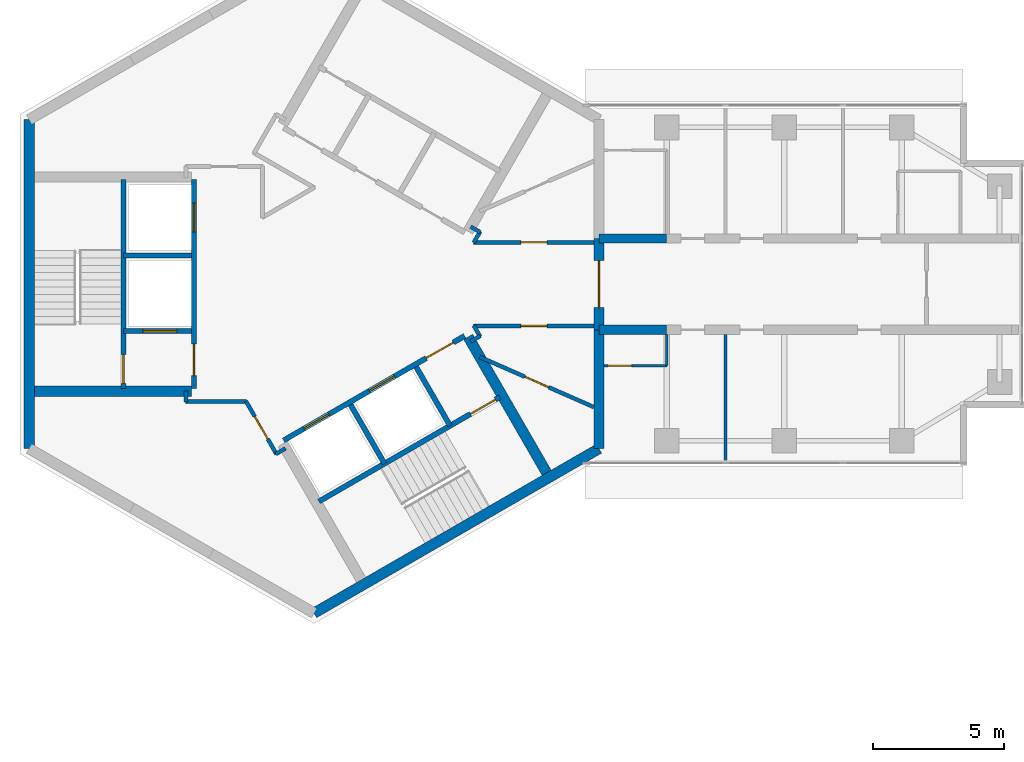
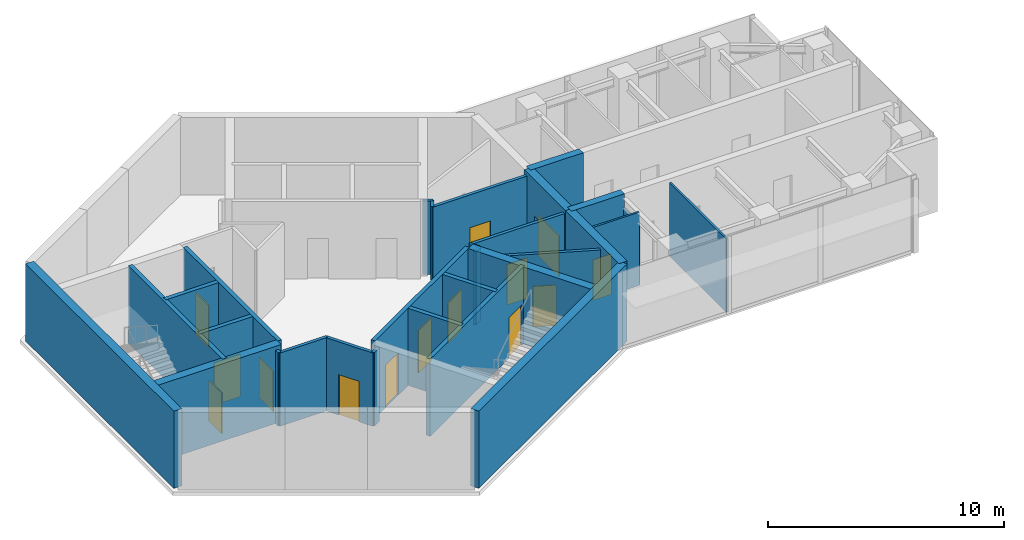
# One storey, part 5 of 11: 30 walls, 14 doors, 14 openings.
"""IFC4 building model written with IfcOpenShell, lengths in metres."""

import ifcopenshell
import ifcopenshell.guid

model = None  # the IFC model being written
_history = None  # IfcOwnerHistory: only IFC2X3 demands one
_inside = {}  # id of a spatial element -> (the spatial element, [elements in it])
_under = {}  # id of a project, library or spatial element -> (it, [spatial elements below it])
_declared = {}  # id of a project -> (the project, [libraries it declares])
_typed = {}  # id of a type object -> (the type object, [elements of that type])
_made_of = {}  # id of a material, layer set ... -> (it, [elements and type objects made of it])


def new_model(schema):
    """Start an empty IFC model of exactly this schema.

    Asked for "IFC4X3", IfcOpenShell would pick the latest addendum, in which some entities
    have other attributes; the version numbers below select the first issue.
    IFC2X3 requires an IfcOwnerHistory on every rooted entity: one is made here for all.
    """
    global model, _history
    if schema == "IFC4X3":
        model = ifcopenshell.file(schema_version=(4, 3, 0, 0))
    else:
        model = ifcopenshell.file(schema=schema)
    _inside.clear()
    _under.clear()
    _declared.clear()
    _typed.clear()
    _made_of.clear()
    _history = None
    if model.schema == "IFC2X3":
        org = make("IfcOrganization", Name="unknown")
        user = make(
            "IfcPersonAndOrganization",
            ThePerson=make("IfcPerson", FamilyName="unknown"),
            TheOrganization=org,
        )
        app = make(
            "IfcApplication",
            ApplicationDeveloper=org,
            Version="unknown",
            ApplicationFullName="unknown",
            ApplicationIdentifier="unknown",
        )
        _history = make(
            "IfcOwnerHistory",
            OwningUser=user,
            OwningApplication=app,
            ChangeAction="ADDED",
            CreationDate=0,
        )
    return model


def make(cls, **values):
    """One entity of the class cls with the attributes given. An attribute that is None is left unset."""
    return model.create_entity(
        cls, **{name: value for name, value in values.items() if value is not None}
    )


def rooted(cls, **values):
    """An entity with a GlobalId (a new one), such as an element, a storey or a relation."""
    return make(cls, GlobalId=ifcopenshell.guid.new(), OwnerHistory=_history, **values)


def si_unit(unit_type, name, prefix=None):
    """IfcSIUnit, for example si_unit("LENGTHUNIT", "METRE", prefix="MILLI")."""
    return make("IfcSIUnit", UnitType=unit_type, Prefix=prefix, Name=name)


def assignment(units):
    """IfcUnitAssignment: the units of a project."""
    return None if units is None else make("IfcUnitAssignment", Units=units)


def point(xyz):
    """IfcCartesianPoint."""
    return None if xyz is None else make("IfcCartesianPoint", Coordinates=xyz)


def direction(xyz):
    """IfcDirection."""
    return None if xyz is None else make("IfcDirection", DirectionRatios=xyz)


def frame(location, z_axis=None, x_axis=None):
    """IfcAxis2Placement3D, a coordinate frame: its origin and axes. An axis left out is left unset."""
    return make(
        "IfcAxis2Placement3D",
        Location=point(location),
        Axis=direction(z_axis),
        RefDirection=direction(x_axis),
    )


def frame_2d(location, x_axis=None):
    """IfcAxis2Placement2D, a coordinate frame in the plane: its origin and x axis."""
    return make(
        "IfcAxis2Placement2D", Location=point(location), RefDirection=direction(x_axis)
    )


def origin():
    """The frame at (0, 0, 0) with its axes left unset."""
    return frame((0.0, 0.0, 0.0))


def place(relative_to, where):
    """IfcLocalPlacement: puts the frame where relative to a parent placement (None: the world)."""
    return make(
        "IfcLocalPlacement", PlacementRelTo=relative_to, RelativePlacement=where
    )


def context(
    kind, dimensions, precision=None, world=None, true_north=None, identifier=None
):
    """IfcGeometricRepresentationContext, for example the 3D "Model" context."""
    return make(
        "IfcGeometricRepresentationContext",
        ContextIdentifier=identifier,
        ContextType=kind,
        CoordinateSpaceDimension=dimensions,
        Precision=precision,
        WorldCoordinateSystem=world,
        TrueNorth=true_north,
    )


def subcontext(parent, identifier, kind, view, scale=None):
    """IfcGeometricRepresentationSubContext, for example "Body" below "Model"."""
    return make(
        "IfcGeometricRepresentationSubContext",
        ContextIdentifier=identifier,
        ContextType=kind,
        ParentContext=parent,
        TargetScale=scale,
        TargetView=view,
    )


def project(units=None, contexts=None):
    """IfcProject with its units and contexts."""
    return rooted(
        "IfcProject",
        Name="project",
        RepresentationContexts=contexts,
        UnitsInContext=assignment(units),
    )


def spatial(cls, under=None, at=None, **own):
    """A site, building, storey or space (cls), placed at a placement, below another one or the project."""
    s = rooted(cls, ObjectPlacement=at, **own)
    if under is not None:
        _under.setdefault(under.id(), (under, []))[1].append(s)
    return s


def profile(cls, at=None, kind="AREA", **sizes):
    """A parametric profile (cls). Its sizes go by their IFC names, for example OverallWidth=200.0."""
    return make(cls, ProfileType=kind, Position=at, **sizes)


def rectangle(**sizes):
    """IfcRectangleProfileDef."""
    return profile("IfcRectangleProfileDef", **sizes)


def extrude(swept, where, along, depth):
    """IfcExtrudedAreaSolid: the profile swept, set in the frame where, extruded along a direction by depth."""
    return make(
        "IfcExtrudedAreaSolid",
        SweptArea=swept,
        Position=where,
        ExtrudedDirection=direction(along),
        Depth=depth,
    )


def shape(context_of_items, identifier, shape_type, items):
    """IfcShapeRepresentation: the items that make up one representation, for example the "Body"."""
    return make(
        "IfcShapeRepresentation",
        ContextOfItems=context_of_items,
        RepresentationIdentifier=identifier,
        RepresentationType=shape_type,
        Items=items,
    )


def material(Name=None, Category=None):
    """IfcMaterial."""
    return make("IfcMaterial", Name=Name, Category=Category)


def layer(
    of_material, thickness, ventilated=None, Name=None, Category=None, Priority=None
):
    """IfcMaterialLayer: one layer of a wall or slab, of a material (None: an air gap)."""
    return make(
        "IfcMaterialLayer",
        Material=of_material,
        LayerThickness=thickness,
        IsVentilated=ventilated,
        Name=Name,
        Category=Category,
        Priority=Priority,
    )


def layer_set(layers, Name=None):
    """IfcMaterialLayerSet."""
    return make("IfcMaterialLayerSet", MaterialLayers=layers, LayerSetName=Name)


def made_of(thing, what):
    """Note that an element or type object is made of a material, layer set ...; save() writes the relation."""
    if what is not None:
        _made_of.setdefault(what.id(), (what, []))[1].append(thing)
    return thing


def type_object(cls, material=None, **own):
    """A type object (cls), such as IfcWallType, which elements share."""
    return made_of(rooted(cls, **own), material)


def element(
    cls,
    number,
    at=None,
    inside=None,
    cuts=None,
    type_object=None,
    material=None,
    context=None,
    identifier="Body",
    shape_type=None,
    held_by="IfcProductDefinitionShape",
    body=None,
    shapes=None,
    **own,
):
    """One element of the class cls, such as IfcWall. Its Tag is "e" and its number.

    at: its placement. inside: the storey or other place that contains it. cuts: it is an
    opening in that element (IfcRelVoidsElement). A single representation is given by context,
    identifier, shape_type and body (its items); several are given by shapes. held_by: the class
    of the entity that holds the representations. save() writes the other relations.
    """
    e = rooted(cls, Tag="e%d" % number, ObjectPlacement=at, **own)
    if body is not None:
        shapes = [shape(context, identifier, shape_type, body)]
    if shapes is not None:
        e.Representation = make(held_by, Representations=shapes)
    if inside is not None:
        _inside.setdefault(inside.id(), (inside, []))[1].append(e)
    if cuts is not None:
        rooted(
            "IfcRelVoidsElement", RelatingBuildingElement=cuts, RelatedOpeningElement=e
        )
    if type_object is not None:
        _typed.setdefault(type_object.id(), (type_object, []))[1].append(e)
    return made_of(e, material)


def fill(opening, filler):
    """IfcRelFillsElement: the door or window that sits in an opening."""
    return rooted(
        "IfcRelFillsElement",
        RelatingOpeningElement=opening,
        RelatedBuildingElement=filler,
    )


def aggregate(whole, parts):
    """IfcRelAggregates: a whole, such as a stair, and the parts it consists of."""
    return rooted("IfcRelAggregates", RelatingObject=whole, RelatedObjects=parts)


def save(model, path):
    """Write the relations noted so far, then the file.

    IfcRelAggregates (storeys below a building ...), IfcRelContainedInSpatialStructure (elements
    in a storey), IfcRelDefinesByType, IfcRelAssociatesMaterial and IfcRelDeclares: one each for
    every whole, place, type object, material and project.
    """
    for whole, parts in _under.values():
        aggregate(whole, parts)
    for where, things in _inside.values():
        rooted(
            "IfcRelContainedInSpatialStructure",
            RelatedElements=things,
            RelatingStructure=where,
        )
    for kind, things in _typed.values():
        rooted("IfcRelDefinesByType", RelatedObjects=things, RelatingType=kind)
    for what, things in _made_of.values():
        rooted("IfcRelAssociatesMaterial", RelatedObjects=things, RelatingMaterial=what)
    for by, libraries in _declared.values():
        rooted("IfcRelDeclares", RelatingContext=by, RelatedDefinitions=libraries)
    model.write(path)


model = new_model("IFC4")

# Units and contexts
model_context = context("Model", 3, precision=1e-05, world=origin(), true_north=direction((0.0, 1.0)))
body_context = subcontext(model_context, "Body", "Model", "MODEL_VIEW")
ifc_project = project(units=[si_unit("LENGTHUNIT", "METRE"), si_unit("AREAUNIT", "SQUARE_METRE"), si_unit("VOLUMEUNIT", "CUBIC_METRE"), si_unit("PLANEANGLEUNIT", "RADIAN"), si_unit("MASSUNIT", "GRAM", prefix="KILO")], contexts=[model_context])

# Site, building, storey
site_placement = place(None, origin())
site = spatial("IfcSite", under=ifc_project, at=site_placement, CompositionType="ELEMENT")
building_placement = place(site_placement, origin())
building = spatial("IfcBuilding", under=site, at=building_placement, Name="Upepo Twin Towers", CompositionType="ELEMENT")
storey_placement = place(building_placement, frame((0.0, 0.0, 271.5)))
storey = spatial("IfcBuildingStorey", under=building, at=storey_placement, Name="L66", CompositionType="ELEMENT", Elevation=271.5)

# Walls
ifc_material_1 = material(Name="Concrete C60/75", Category="concrete")
ifc_layer_1 = layer(ifc_material_1, 0.35009765625)
ifc_layer_set_1 = layer_set([ifc_layer_1], Name="Concrete C60/75")
wall_type_1 = type_object("IfcWallType", Name="Buttress wall 350 RC", PredefinedType="SHEAR", material=ifc_layer_set_1)
for number, where, z_axis, x_axis, name in (
    (1, (10.908447265625, 1.75, 0.0), (0.0, 0.0, 1.0), (1.0, 0.0, 0.0), "T1 wing A buttress wall L"),
    (2, (10.908447265625, -1.75, 0.0), (0.0, 0.0, 1.0), (1.0, 0.0, 0.0), "T1 wing A buttress wall R"),
):
    element("IfcWall", number, at=place(storey_placement, frame(where, z_axis=z_axis, x_axis=x_axis)), inside=storey, type_object=wall_type_1, Name=name, PredefinedType="SHEAR", context=body_context, shape_type="SweptSolid", body=[
        extrude(rectangle(XDim=2.591552734375, YDim=0.35009765625, at=frame_2d((1.2958984375, 0.0))), origin(), (0.0, 0.0, 1.0), 4.0),
    ])
ifc_material_2 = material(Name="Concrete C60/75", Category="concrete")
ifc_layer_2 = layer(ifc_material_2, 0.39990234375)
ifc_layer_set_2 = layer_set([ifc_layer_2], Name="Concrete C60/75")
wall_type_2 = type_object("IfcWallType", Name="Core wall 400 RC", PredefinedType="SHEAR", material=ifc_layer_set_2)
wall_1_placement = place(storey_placement, frame((10.908447265625, -6.2978515625, 0.0), z_axis=(0.0, 0.0, 1.0), x_axis=(0.0, 1.0, 0.0)))
element("IfcWall", 3, at=wall_1_placement, inside=storey, type_object=wall_type_2, Name="T1 core wall 000 R", PredefinedType="SHEAR", context=body_context, shape_type="SweptSolid", body=[
    extrude(rectangle(XDim=4.5478515625, YDim=0.39990234375, at=frame_2d((2.27392578125, 0.0))), origin(), (0.0, 0.0, 1.0), 4.0),
])

# Wall, opening, door
wall_2_placement = place(storey_placement, frame((10.908447265625, -1.75, 0.0), z_axis=(0.0, 0.0, 1.0), x_axis=(0.0, 1.0, 0.0)))
wall_2 = element("IfcWall", 4, at=wall_2_placement, inside=storey, type_object=wall_type_2, Name="T1 core wall 000", PredefinedType="SHEAR", context=body_context, shape_type="SweptSolid", body=[
    extrude(rectangle(XDim=3.5, YDim=0.39990234375, at=frame_2d((1.75, 0.0))), origin(), (0.0, 0.0, 1.0), 4.0),
])
opening_1_placement = place(wall_2_placement, frame((0.85009765625, 0.0, 0.0)))
opening_1 = element("IfcOpeningElement", 5, at=opening_1_placement, cuts=wall_2, Name="Opening D2", PredefinedType="OPENING", context=body_context, shape_type="SweptSolid", body=[
    extrude(rectangle(XDim=1.800048828125, YDim=2.10009765625, at=frame_2d((0.89990234375, 1.050048828125))), frame((0.0, 0.2099609375, 0.0), z_axis=(0.0, -1.0, 0.0), x_axis=(1.0, 0.0, 0.0)), (0.0, 0.0, 1.0), 0.419921875),
])
ifc_material_3 = material(Name="Timber doorset", Category="wood")
door_type_1 = type_object("IfcDoorType", Name="Corridor double door 1800 FD60", OperationType="DOUBLE_DOOR_DOUBLE_SWING", PredefinedType="DOOR", material=ifc_material_3)
door_1_placement = place(opening_1_placement, origin())
door_1 = element("IfcDoor", 6, at=door_1_placement, inside=storey, type_object=door_type_1, Name="T1 L66 wing A corridor door", OperationType="DOUBLE_DOOR_DOUBLE_SWING", OverallHeight=2.10009765625, OverallWidth=1.800048828125, PredefinedType="DOOR", context=body_context, shape_type="SweptSolid", body=[
    extrude(rectangle(XDim=1.800048828125, YDim=2.10009765625, at=frame_2d((0.89990234375, 1.050048828125))), frame((0.0, 0.02490234375, 0.0), z_axis=(0.0, -1.0, 0.0), x_axis=(1.0, 0.0, 0.0)), (0.0, 0.0, 1.0), 0.050048828125),
])
fill(opening_1, door_1)

# Walls
wall_3_placement = place(storey_placement, frame((-10.908447265625, 6.2978515625, 0.0), z_axis=(0.0, 0.0, 1.0), x_axis=(0.0, -1.0, 0.0)))
element("IfcWall", 7, at=wall_3_placement, inside=storey, type_object=wall_type_2, Name="T1 core wall 180", PredefinedType="SHEAR", context=body_context, shape_type="SweptSolid", body=[
    extrude(rectangle(XDim=12.595703125, YDim=0.39990234375, at=frame_2d((6.2978515625, 0.0))), origin(), (0.0, 0.0, 1.0), 4.0),
])
wall_4_placement = place(storey_placement, frame((0.0, -12.595947265625, 0.0), z_axis=(0.0, 0.0, 1.0), x_axis=(0.866021940709, 0.500005998175, 0.0)))
element("IfcWall", 8, at=wall_4_placement, inside=storey, type_object=wall_type_2, Name="T1 core wall 300", PredefinedType="SHEAR", context=body_context, shape_type="SweptSolid", body=[
    extrude(rectangle(XDim=12.595947265625, YDim=0.39990234375, at=frame_2d((6.2978515625, 0.0))), origin(), (0.0, 0.0, 1.0), 4.0),
])
ifc_material_4 = material(Name="Gypsum board on steel studs", Category="steel")
ifc_layer_3 = layer(ifc_material_4, 0.10009765625)
ifc_layer_set_3 = layer_set([ifc_layer_3], Name="Office partition 100 stud")
wall_type_3 = type_object("IfcWallType", Name="Office partition 100 stud", PredefinedType="PARTITIONING", material=ifc_layer_set_3)
wall_5_placement = place(storey_placement, frame((15.75, -1.925048828125, 0.0), z_axis=(0.0, 0.0, 1.0), x_axis=(0.0, -1.0, 0.0)))
element("IfcWall", 9, at=wall_5_placement, inside=storey, type_object=wall_type_3, Name="T1 partition AR at 15.75", PredefinedType="PARTITIONING", context=body_context, shape_type="SweptSolid", body=[
    extrude(rectangle(XDim=4.824951171875, YDim=0.10009765625, at=frame_2d((2.41259765625, 0.0))), origin(), (0.0, 0.0, 1.0), 3.800048828125),
])

# Wall, opening, door
wall_6_placement = place(storey_placement, frame((11.10791015625, -3.125, 0.0), z_axis=(0.0, 0.0, 1.0), x_axis=(1.0, 0.0, 0.0)))
wall_6 = element("IfcWall", 10, at=wall_6_placement, inside=storey, type_object=wall_type_3, Name="T1 WC bay partition AR at 11.11", PredefinedType="PARTITIONING", context=body_context, shape_type="SweptSolid", body=[
    extrude(rectangle(XDim=2.400146484375, YDim=0.10009765625, at=frame_2d((1.2001953125, 0.0))), origin(), (0.0, 0.0, 1.0), 3.800048828125),
])
opening_2_placement = place(wall_6_placement, frame((0.14990234375, 0.0, 0.0)))
opening_2 = element("IfcOpeningElement", 11, at=opening_2_placement, cuts=wall_6, Name="Opening D14", PredefinedType="OPENING", context=body_context, shape_type="SweptSolid", body=[
    extrude(rectangle(XDim=0.89990234375, YDim=2.10009765625, at=frame_2d((0.449951171875, 1.050048828125))), frame((0.0, 0.06005859375, 0.0), z_axis=(0.0, -1.0, 0.0), x_axis=(1.0, 0.0, 0.0)), (0.0, 0.0, 1.0), 0.1201171875),
])
ifc_material_5 = material(Name="Timber doorset", Category="wood")
door_type_2 = type_object("IfcDoorType", Name="Office door 900 FD30", OperationType="SINGLE_SWING_LEFT", PredefinedType="DOOR", material=ifc_material_5)
door_2_placement = place(opening_2_placement, origin())
door_2 = element("IfcDoor", 12, at=door_2_placement, inside=storey, type_object=door_type_2, Name="T1 L66 WC bay inner room door", OperationType="SINGLE_SWING_LEFT", OverallHeight=2.10009765625, OverallWidth=0.89990234375, PredefinedType="DOOR", context=body_context, shape_type="SweptSolid", body=[
    extrude(rectangle(XDim=0.89990234375, YDim=2.10009765625, at=frame_2d((0.449951171875, 1.050048828125))), frame((0.0, 0.02490234375, 0.0), z_axis=(0.0, -1.0, 0.0), x_axis=(1.0, 0.0, 0.0)), (0.0, 0.0, 1.0), 0.050048828125),
])
fill(opening_2, door_2)

# Wall
wall_7_placement = place(storey_placement, frame((13.508056640625, -1.925048828125, 0.0), z_axis=(0.0, 0.0, 1.0), x_axis=(0.0, -1.0, 0.0)))
element("IfcWall", 13, at=wall_7_placement, inside=storey, type_object=wall_type_3, Name="T1 WC bay partition AR end at 13.51", PredefinedType="PARTITIONING", context=body_context, shape_type="SweptSolid", body=[
    extrude(rectangle(XDim=1.199951171875, YDim=0.10009765625, at=frame_2d((0.60009765625, 0.0))), origin(), (0.0, 0.0, 1.0), 3.266845703125),
])

# Wall, openings, doors
ifc_material_6 = material(Name="Concrete C40/50", Category="concrete")
ifc_layer_4 = layer(ifc_material_6, 0.199951171875)
ifc_layer_set_4 = layer_set([ifc_layer_4], Name="Concrete C40/50")
wall_type_4 = type_object("IfcWallType", Name="Shaft wall 200 RC", PredefinedType="SHEAR", material=ifc_layer_set_4)
wall_8_placement = place(storey_placement, frame((-4.60009765625, 4.0, 0.0), z_axis=(0.0, 0.0, 1.0), x_axis=(0.0, -1.0, 0.0)))
wall_8 = element("IfcWall", 14, at=wall_8_placement, inside=storey, type_object=wall_type_4, Name="T1 core W180 front wall", PredefinedType="SHEAR", context=body_context, shape_type="SweptSolid", body=[
    extrude(rectangle(XDim=8.0, YDim=0.199951171875, at=frame_2d((4.0, 0.0))), origin(), (0.0, 0.0, 1.0), 4.0),
])
opening_3_placement = place(wall_8_placement, frame((6.300048828125, 0.0, 0.0)))
opening_3 = element("IfcOpeningElement", 15, at=opening_3_placement, cuts=wall_8, Name="Opening D4", PredefinedType="OPENING", context=body_context, shape_type="SweptSolid", body=[
    extrude(rectangle(XDim=1.199951171875, YDim=2.10009765625, at=frame_2d((0.60009765625, 1.050048828125))), frame((0.0, 0.10986328125, 0.0), z_axis=(0.0, -1.0, 0.0), x_axis=(1.0, 0.0, 0.0)), (0.0, 0.0, 1.0), 0.219970703125),
])
opening_4_placement = place(wall_8_placement, frame((0.89990234375, 0.0, 0.0)))
opening_4 = element("IfcOpeningElement", 16, at=opening_4_placement, cuts=wall_8, Name="Opening LD1", PredefinedType="OPENING", context=body_context, shape_type="SweptSolid", body=[
    extrude(rectangle(XDim=1.10009765625, YDim=2.199951171875, at=frame_2d((0.550048828125, 1.10009765625))), frame((0.0, 0.10986328125, 0.0), z_axis=(0.0, -1.0, 0.0), x_axis=(1.0, 0.0, 0.0)), (0.0, 0.0, 1.0), 0.219970703125),
])
ifc_material_7 = material(Name="Steel doorset", Category="steel")
door_type_3 = type_object("IfcDoorType", Name="Lift landing door 1100", OperationType="DOUBLE_DOOR_SLIDING", PredefinedType="DOOR", material=ifc_material_7)
door_3_placement = place(opening_4_placement, origin())
door_3 = element("IfcDoor", 17, at=door_3_placement, inside=storey, type_object=door_type_3, Name="T1 L66 lift SV1 landing door", OperationType="DOUBLE_DOOR_SLIDING", OverallHeight=2.199951171875, OverallWidth=1.10009765625, PredefinedType="DOOR", context=body_context, shape_type="SweptSolid", body=[
    extrude(rectangle(XDim=1.10009765625, YDim=2.199951171875, at=frame_2d((0.550048828125, 1.10009765625))), frame((0.0, 0.02490234375, 0.0), z_axis=(0.0, -1.0, 0.0), x_axis=(1.0, 0.0, 0.0)), (0.0, 0.0, 1.0), 0.050048828125),
])
fill(opening_4, door_3)
ifc_material_8 = material(Name="Timber doorset", Category="wood")
door_type_4 = type_object("IfcDoorType", Name="Lobby door 1200 FD60", OperationType="SINGLE_SWING_LEFT", PredefinedType="DOOR", material=ifc_material_8)
door_4_placement = place(opening_3_placement, origin())
door_4 = element("IfcDoor", 18, at=door_4_placement, inside=storey, type_object=door_type_4, Name="T1 L66 W180 lobby door", OperationType="SINGLE_SWING_RIGHT", OverallHeight=2.10009765625, OverallWidth=1.199951171875, PredefinedType="DOOR", context=body_context, shape_type="SweptSolid", body=[
    extrude(rectangle(XDim=1.199951171875, YDim=2.10009765625, at=frame_2d((0.60009765625, 1.050048828125))), frame((0.0, 0.02490234375, 0.0), z_axis=(0.0, -1.0, 0.0), x_axis=(1.0, 0.0, 0.0)), (0.0, 0.0, 1.0), 0.050048828125),
])
fill(opening_3, door_4)

# Wall
wall_9_placement = place(storey_placement, frame((-4.699951171875, 1.10009765625, 0.0), z_axis=(0.0, 0.0, 1.0), x_axis=(-1.0, 0.0, 0.0)))
element("IfcWall", 19, at=wall_9_placement, inside=storey, type_object=wall_type_4, Name="T1 core W180 shaft divider", PredefinedType="SHEAR", context=body_context, shape_type="SweptSolid", body=[
    extrude(rectangle(XDim=2.60009765625, YDim=0.199951171875, at=frame_2d((1.300048828125, 0.0))), origin(), (0.0, 0.0, 1.0), 4.0),
])

# Wall, opening, door
wall_10_placement = place(storey_placement, frame((-4.699951171875, -1.800048828125, 0.0), z_axis=(0.0, 0.0, 1.0), x_axis=(-1.0, 0.0, 0.0)))
wall_10 = element("IfcWall", 20, at=wall_10_placement, inside=storey, type_object=wall_type_4, Name="T1 core W180 lobby wall", PredefinedType="SHEAR", context=body_context, shape_type="SweptSolid", body=[
    extrude(rectangle(XDim=2.60009765625, YDim=0.199951171875, at=frame_2d((1.300048828125, 0.0))), origin(), (0.0, 0.0, 1.0), 4.0),
])
opening_5_placement = place(wall_10_placement, frame((0.550048828125, 0.0, 0.0)))
opening_5 = element("IfcOpeningElement", 21, at=opening_5_placement, cuts=wall_10, Name="Opening LD2", PredefinedType="OPENING", context=body_context, shape_type="SweptSolid", body=[
    extrude(rectangle(XDim=1.300048828125, YDim=2.199951171875, at=frame_2d((0.64990234375, 1.10009765625))), frame((0.0, 0.10986328125, 0.0), z_axis=(0.0, -1.0, 0.0), x_axis=(1.0, 0.0, 0.0)), (0.0, 0.0, 1.0), 0.219970703125),
])
ifc_material_9 = material(Name="Steel doorset", Category="steel")
door_type_5 = type_object("IfcDoorType", Name="Firefighting lift landing door 1300", OperationType="DOUBLE_DOOR_SLIDING", PredefinedType="DOOR", material=ifc_material_9)
door_5_placement = place(opening_5_placement, origin())
door_5 = element("IfcDoor", 22, at=door_5_placement, inside=storey, type_object=door_type_5, Name="T1 L66 firefighting lift landing door", OperationType="DOUBLE_DOOR_SLIDING", OverallHeight=2.199951171875, OverallWidth=1.300048828125, PredefinedType="DOOR", context=body_context, shape_type="SweptSolid", body=[
    extrude(rectangle(XDim=1.300048828125, YDim=2.199951171875, at=frame_2d((0.64990234375, 1.10009765625))), frame((0.0, 0.02490234375, 0.0), z_axis=(0.0, -1.0, 0.0), x_axis=(1.0, 0.0, 0.0)), (0.0, 0.0, 1.0), 0.050048828125),
])
fill(opening_5, door_5)

wall_11_placement = place(storey_placement, frame((-7.300048828125, 4.0, 0.0), z_axis=(0.0, 0.0, 1.0), x_axis=(0.0, -1.0, 0.0)))
wall_11 = element("IfcWall", 23, at=wall_11_placement, inside=storey, type_object=wall_type_4, Name="T1 core W180 stair wall", PredefinedType="SHEAR", context=body_context, shape_type="SweptSolid", body=[
    extrude(rectangle(XDim=8.0, YDim=0.199951171875, at=frame_2d((4.0, 0.0))), origin(), (0.0, 0.0, 1.0), 4.0),
])
opening_6_placement = place(wall_11_placement, frame((6.699951171875, 0.0, 0.0)))
opening_6 = element("IfcOpeningElement", 24, at=opening_6_placement, cuts=wall_11, Name="Opening D3", PredefinedType="OPENING", context=body_context, shape_type="SweptSolid", body=[
    extrude(rectangle(XDim=1.10009765625, YDim=2.10009765625, at=frame_2d((0.550048828125, 1.050048828125))), frame((0.0, 0.10986328125, 0.0), z_axis=(0.0, -1.0, 0.0), x_axis=(1.0, 0.0, 0.0)), (0.0, 0.0, 1.0), 0.219970703125),
])
ifc_material_10 = material(Name="Timber doorset", Category="wood")
door_type_6 = type_object("IfcDoorType", Name="Stair door 1100 FD60", OperationType="SINGLE_SWING_LEFT", PredefinedType="DOOR", material=ifc_material_10)
door_6_placement = place(opening_6_placement, origin())
door_6 = element("IfcDoor", 25, at=door_6_placement, inside=storey, type_object=door_type_6, Name="T1 L66 stair door", OperationType="SINGLE_SWING_RIGHT", OverallHeight=2.10009765625, OverallWidth=1.10009765625, PredefinedType="DOOR", context=body_context, shape_type="SweptSolid", body=[
    extrude(rectangle(XDim=1.10009765625, YDim=2.10009765625, at=frame_2d((0.550048828125, 1.050048828125))), frame((0.0, 0.02490234375, 0.0), z_axis=(0.0, -1.0, 0.0), x_axis=(1.0, 0.0, 0.0)), (0.0, 0.0, 1.0), 0.050048828125),
])
fill(opening_6, door_6)

# Wall, openings, doors
wall_12_placement = place(storey_placement, frame((-1.1640625, -5.983642578125, 0.0), z_axis=(0.0, 0.0, 1.0), x_axis=(0.866026010844, 0.49999894854, 0.0)))
wall_12 = element("IfcWall", 26, at=wall_12_placement, inside=storey, type_object=wall_type_4, Name="T1 core W300 front wall", PredefinedType="SHEAR", context=body_context, shape_type="SweptSolid", body=[
    extrude(rectangle(XDim=8.0, YDim=0.199951171875, at=frame_2d((4.0, 0.0))), origin(), (0.0, 0.0, 1.0), 4.0),
])
opening_7_placement = place(wall_12_placement, frame((6.300048828125, 0.0, 0.0)))
opening_7 = element("IfcOpeningElement", 27, at=opening_7_placement, cuts=wall_12, Name="Opening D4", PredefinedType="OPENING", context=body_context, shape_type="SweptSolid", body=[
    extrude(rectangle(XDim=1.199951171875, YDim=2.10009765625, at=frame_2d((0.60009765625, 1.050048828125))), frame((0.0, 0.10986328125, 0.0), z_axis=(0.0, -1.0, 0.0), x_axis=(1.0, 0.0, 0.0)), (0.0, 0.0, 1.0), 0.219970703125),
])
opening_8_placement = place(wall_12_placement, frame((0.89990234375, 0.0, 0.0)))
opening_8 = element("IfcOpeningElement", 28, at=opening_8_placement, cuts=wall_12, Name="Opening LD1", PredefinedType="OPENING", context=body_context, shape_type="SweptSolid", body=[
    extrude(rectangle(XDim=1.10009765625, YDim=2.199951171875, at=frame_2d((0.550048828125, 1.10009765625))), frame((0.0, 0.10986328125, 0.0), z_axis=(0.0, -1.0, 0.0), x_axis=(1.0, 0.0, 0.0)), (0.0, 0.0, 1.0), 0.219970703125),
])
opening_9_placement = place(wall_12_placement, frame((3.800048828125, 0.0, 0.0)))
opening_9 = element("IfcOpeningElement", 29, at=opening_9_placement, cuts=wall_12, Name="Opening LD1", PredefinedType="OPENING", context=body_context, shape_type="SweptSolid", body=[
    extrude(rectangle(XDim=1.10009765625, YDim=2.199951171875, at=frame_2d((0.550048828125, 1.10009765625))), frame((0.0, 0.10986328125, 0.0), z_axis=(0.0, -1.0, 0.0), x_axis=(1.0, 0.0, 0.0)), (0.0, 0.0, 1.0), 0.219970703125),
])
door_7_placement = place(opening_8_placement, origin())
door_7 = element("IfcDoor", 30, at=door_7_placement, inside=storey, type_object=door_type_3, Name="T1 L66 lift TL1 landing door", OperationType="DOUBLE_DOOR_SLIDING", OverallHeight=2.199951171875, OverallWidth=1.10009765625, PredefinedType="DOOR", context=body_context, shape_type="SweptSolid", body=[
    extrude(rectangle(XDim=1.10009765625, YDim=2.199951171875, at=frame_2d((0.550048828125, 1.10009765625))), frame((0.0, 0.02490234375, 0.0), z_axis=(0.0, -1.0, 0.0), x_axis=(1.0, 0.0, 0.0)), (0.0, 0.0, 1.0), 0.050048828125),
])
fill(opening_8, door_7)
door_8_placement = place(opening_9_placement, origin())
door_8 = element("IfcDoor", 31, at=door_8_placement, inside=storey, type_object=door_type_3, Name="T1 L66 lift TL2 landing door", OperationType="DOUBLE_DOOR_SLIDING", OverallHeight=2.199951171875, OverallWidth=1.10009765625, PredefinedType="DOOR", context=body_context, shape_type="SweptSolid", body=[
    extrude(rectangle(XDim=1.10009765625, YDim=2.199951171875, at=frame_2d((0.550048828125, 1.10009765625))), frame((0.0, 0.02490234375, 0.0), z_axis=(0.0, -1.0, 0.0), x_axis=(1.0, 0.0, 0.0)), (0.0, 0.0, 1.0), 0.050048828125),
])
fill(opening_9, door_8)
door_9_placement = place(opening_7_placement, origin())
door_9 = element("IfcDoor", 32, at=door_9_placement, inside=storey, type_object=door_type_4, Name="T1 L66 W300 lobby door", OperationType="SINGLE_SWING_RIGHT", OverallHeight=2.10009765625, OverallWidth=1.199951171875, PredefinedType="DOOR", context=body_context, shape_type="SweptSolid", body=[
    extrude(rectangle(XDim=1.199951171875, YDim=2.10009765625, at=frame_2d((0.60009765625, 1.050048828125))), frame((0.0, 0.02490234375, 0.0), z_axis=(0.0, -1.0, 0.0), x_axis=(1.0, 0.0, 0.0)), (0.0, 0.0, 1.0), 0.050048828125),
])
fill(opening_7, door_9)

# Walls
wall_13_placement = place(storey_placement, frame((1.3974609375, -4.620361328125, 0.0), z_axis=(0.0, 0.0, 1.0), x_axis=(0.499936506574, -0.866062058628, 0.0)))
element("IfcWall", 33, at=wall_13_placement, inside=storey, type_object=wall_type_4, Name="T1 core W300 shaft divider", PredefinedType="SHEAR", context=body_context, shape_type="SweptSolid", body=[
    extrude(rectangle(XDim=2.599853515625, YDim=0.199951171875, at=frame_2d((1.2998046875, 0.0))), origin(), (0.0, 0.0, 1.0), 4.0),
])
wall_14_placement = place(storey_placement, frame((3.908935546875, -3.17041015625, 0.0), z_axis=(0.0, 0.0, 1.0), x_axis=(0.49997716683, -0.86603858612, 0.0)))
element("IfcWall", 34, at=wall_14_placement, inside=storey, type_object=wall_type_4, Name="T1 core W300 lobby wall", PredefinedType="SHEAR", context=body_context, shape_type="SweptSolid", body=[
    extrude(rectangle(XDim=2.599609375, YDim=0.199951171875, at=frame_2d((1.2998046875, 0.0))), origin(), (0.0, 0.0, 1.0), 4.0),
])

# Wall, opening, door
wall_15_placement = place(storey_placement, frame((0.185791015625, -8.322021484375, 0.0), z_axis=(0.0, 0.0, 1.0), x_axis=(0.866026010844, 0.49999894854, 0.0)))
wall_15 = element("IfcWall", 35, at=wall_15_placement, inside=storey, type_object=wall_type_4, Name="T1 core W300 stair wall", PredefinedType="SHEAR", context=body_context, shape_type="SweptSolid", body=[
    extrude(rectangle(XDim=8.0, YDim=0.199951171875, at=frame_2d((4.0, 0.0))), origin(), (0.0, 0.0, 1.0), 4.0),
])
opening_10_placement = place(wall_15_placement, frame((6.699951171875, 0.0, 0.0)))
opening_10 = element("IfcOpeningElement", 36, at=opening_10_placement, cuts=wall_15, Name="Opening D3", PredefinedType="OPENING", context=body_context, shape_type="SweptSolid", body=[
    extrude(rectangle(XDim=1.10009765625, YDim=2.10009765625, at=frame_2d((0.550048828125, 1.050048828125))), frame((0.0, 0.10986328125, 0.0), z_axis=(0.0, -1.0, 0.0), x_axis=(1.0, 0.0, 0.0)), (0.0, 0.0, 1.0), 0.219970703125),
])
door_10_placement = place(opening_10_placement, origin())
door_10 = element("IfcDoor", 37, at=door_10_placement, inside=storey, type_object=door_type_6, Name="T1 L66 stair door", OperationType="SINGLE_SWING_RIGHT", OverallHeight=2.10009765625, OverallWidth=1.10009765625, PredefinedType="DOOR", context=body_context, shape_type="SweptSolid", body=[
    extrude(rectangle(XDim=1.10009765625, YDim=2.10009765625, at=frame_2d((0.550048828125, 1.050048828125))), frame((0.0, 0.02490234375, 0.0), z_axis=(0.0, -1.0, 0.0), x_axis=(1.0, 0.0, 0.0)), (0.0, 0.0, 1.0), 0.050048828125),
])
fill(opening_10, door_10)

# Walls
ifc_material_11 = material(Name="Concrete C40/50", Category="concrete")
ifc_layer_5 = layer(ifc_material_11, 0.39990234375)
ifc_layer_set_5 = layer_set([ifc_layer_5], Name="Concrete C40/50")
wall_type_5 = type_object("IfcWallType", Name="Shaft wall 400 RC", PredefinedType="SHEAR", material=ifc_layer_set_5)
for number, where, z_axis, x_axis, name in (
    (38, (-4.699951171875, -4.10009765625, 0.0), (0.0, 0.0, 1.0), (-1.0, 0.0, 0.0), "T1 core W180 side wall N"),
    (39, (5.900634765625, -2.020263671875, 0.0), (0.0, 0.0, 1.0), (0.499997979876, -0.866026570101, 0.0), "T1 core W300 side wall N"),
):
    element("IfcWall", number, at=place(storey_placement, frame(where, z_axis=z_axis, x_axis=x_axis)), inside=storey, type_object=wall_type_5, Name=name, PredefinedType="SHEAR", context=body_context, shape_type="SweptSolid", body=[
        extrude(rectangle(XDim=6.00830078125, YDim=0.39990234375, at=frame_2d((3.004150390625, 0.0))), origin(), (0.0, 0.0, 1.0), 4.0),
    ])
ifc_material_12 = material(Name="Gypsum board on steel studs", Category="steel")
ifc_layer_6 = layer(ifc_material_12, 0.14990234375)
ifc_layer_set_6 = layer_set([ifc_layer_6], Name="Teaching partition 150 acoustic")
wall_type_6 = type_object("IfcWallType", Name="Teaching partition 150 acoustic", PredefinedType="PARTITIONING", material=ifc_layer_set_6)
for number, where, z_axis, x_axis, name in (
    (40, (6.364501953125, -1.9833984375, 0.0), (0.0, 0.0, 1.0), (-0.865892400268, -0.500230298122, 0.0), "T1 core room partition 1"),
    (41, (-1.092041015625, -6.28857421875, 0.0), (0.0, 0.0, 1.0), (-0.866138304741, -0.499804398801, 0.0), "T1 core room partition 2"),
):
    element("IfcWall", number, at=place(storey_placement, frame(where, z_axis=z_axis, x_axis=x_axis)), inside=storey, type_object=wall_type_6, Name=name, PredefinedType="PARTITIONING", context=body_context, shape_type="SweptSolid", body=[
        extrude(rectangle(XDim=0.429931640625, YDim=0.14990234375, at=frame_2d((0.21484375, 0.0))), origin(), (0.0, 0.0, 1.0), 3.800048828125),
    ])

# Wall, opening, door
wall_16_placement = place(storey_placement, frame((-1.43701171875, -6.5107421875, 0.0), z_axis=(0.0, 0.0, 1.0), x_axis=(-0.500074377092, 0.865982457891, 0.0)))
wall_16 = element("IfcWall", 42, at=wall_16_placement, inside=storey, type_object=wall_type_6, Name="T1 core room partition 3", PredefinedType="PARTITIONING", context=body_context, shape_type="SweptSolid", body=[
    extrude(rectangle(XDim=2.342041015625, YDim=0.14990234375, at=frame_2d((1.1708984375, 0.0))), origin(), (0.0, 0.0, 1.0), 3.800048828125),
])
opening_11_placement = place(wall_16_placement, frame((0.6708984375, 0.0, 0.0)))
opening_11 = element("IfcOpeningElement", 43, at=opening_11_placement, cuts=wall_16, Name="Opening D1", PredefinedType="OPENING", context=body_context, shape_type="SweptSolid", body=[
    extrude(rectangle(XDim=1.0, YDim=2.10009765625, at=frame_2d((0.5, 1.050048828125))), frame((0.0, 0.0849609375, 0.0), z_axis=(0.0, -1.0, 0.0), x_axis=(1.0, 0.0, 0.0)), (0.0, 0.0, 1.0), 0.169921875),
])
ifc_material_13 = material(Name="Timber doorset", Category="wood")
door_type_7 = type_object("IfcDoorType", Name="Room door 1000 FD30", OperationType="SINGLE_SWING_LEFT", PredefinedType="DOOR", material=ifc_material_13)
door_11_placement = place(opening_11_placement, origin())
door_11 = element("IfcDoor", 44, at=door_11_placement, inside=storey, type_object=door_type_7, Name="T1 L66 core room door K1", OperationType="SINGLE_SWING_RIGHT", OverallHeight=2.10009765625, OverallWidth=1.0, PredefinedType="DOOR", context=body_context, shape_type="SweptSolid", body=[
    extrude(rectangle(XDim=1.0, YDim=2.10009765625, at=frame_2d((0.5, 1.050048828125))), frame((0.0, 0.02490234375, 0.0), z_axis=(0.0, -1.0, 0.0), x_axis=(1.0, 0.0, 0.0)), (0.0, 0.0, 1.0), 0.050048828125),
])
fill(opening_11, door_11)

# Walls
wall_17_placement = place(storey_placement, frame((-2.578125, -4.5, 0.0), z_axis=(0.0, 0.0, 1.0), x_axis=(-1.0, 0.0, 0.0)))
element("IfcWall", 45, at=wall_17_placement, inside=storey, type_object=wall_type_6, Name="T1 core room partition 4", PredefinedType="PARTITIONING", context=body_context, shape_type="SweptSolid", body=[
    extrude(rectangle(XDim=2.341796875, YDim=0.14990234375, at=frame_2d((1.1708984375, 0.0))), origin(), (0.0, 0.0, 1.0), 3.800048828125),
])
for number, where, z_axis, x_axis, name in (
    (46, (-4.89990234375, -4.52001953125, 0.0), (0.0, 0.0, 1.0), (0.0, 1.0, 0.0), "T1 core room partition 5"),
    (47, (5.9921875, 2.198486328125, 0.0), (0.0, 0.0, 1.0), (0.865892400268, -0.500230298122, 0.0), "T1 core room partition 13"),
):
    element("IfcWall", number, at=place(storey_placement, frame(where, z_axis=z_axis, x_axis=x_axis)), inside=storey, type_object=wall_type_6, Name=name, PredefinedType="PARTITIONING", context=body_context, shape_type="SweptSolid", body=[
        extrude(rectangle(XDim=0.429931640625, YDim=0.14990234375, at=frame_2d((0.21484375, 0.0))), origin(), (0.0, 0.0, 1.0), 3.800048828125),
    ])
wall_18_placement = place(storey_placement, frame((6.357177734375, 2.0107421875, 0.0), z_axis=(0.0, 0.0, 1.0), x_axis=(-0.50033519877, -0.865831790172, 0.0)))
element("IfcWall", 48, at=wall_18_placement, inside=storey, type_object=wall_type_6, Name="T1 core room partition 14", PredefinedType="PARTITIONING", context=body_context, shape_type="SweptSolid", body=[
    extrude(rectangle(XDim=0.494384765625, YDim=0.14990234375, at=frame_2d((0.2470703125, 0.0))), origin(), (0.0, 0.0, 1.0), 3.800048828125),
])

# Wall, opening, door
wall_19_placement = place(storey_placement, frame((6.099853515625, 1.60009765625, 0.0), z_axis=(0.0, 0.0, 1.0), x_axis=(1.0, 0.0, 0.0)))
wall_19 = element("IfcWall", 49, at=wall_19_placement, inside=storey, type_object=wall_type_6, Name="T1 core room partition 15", PredefinedType="PARTITIONING", context=body_context, shape_type="SweptSolid", body=[
    extrude(rectangle(XDim=4.618408203125, YDim=0.14990234375, at=frame_2d((2.30908203125, 0.0))), origin(), (0.0, 0.0, 1.0), 3.800048828125),
])
opening_12_placement = place(wall_19_placement, frame((1.8193359375, 0.0, 0.0)))
opening_12 = element("IfcOpeningElement", 50, at=opening_12_placement, cuts=wall_19, Name="Opening D1", PredefinedType="OPENING", context=body_context, shape_type="SweptSolid", body=[
    extrude(rectangle(XDim=1.0, YDim=2.10009765625, at=frame_2d((0.5, 1.050048828125))), frame((0.0, 0.0849609375, 0.0), z_axis=(0.0, -1.0, 0.0), x_axis=(1.0, 0.0, 0.0)), (0.0, 0.0, 1.0), 0.169921875),
])
door_12_placement = place(opening_12_placement, origin())
door_12 = element("IfcDoor", 51, at=door_12_placement, inside=storey, type_object=door_type_7, Name="T1 L66 core room door K4", OperationType="SINGLE_SWING_RIGHT", OverallHeight=2.10009765625, OverallWidth=1.0, PredefinedType="DOOR", context=body_context, shape_type="SweptSolid", body=[
    extrude(rectangle(XDim=1.0, YDim=2.10009765625, at=frame_2d((0.5, 1.050048828125))), frame((0.0, 0.02490234375, 0.0), z_axis=(0.0, -1.0, 0.0), x_axis=(1.0, 0.0, 0.0)), (0.0, 0.0, 1.0), 0.050048828125),
])
fill(opening_12, door_12)

wall_20_placement = place(storey_placement, frame((10.71826171875, -1.60009765625, 0.0), z_axis=(0.0, 0.0, 1.0), x_axis=(-1.0, 0.0, 0.0)))
wall_20 = element("IfcWall", 52, at=wall_20_placement, inside=storey, type_object=wall_type_6, Name="T1 core room partition 16", PredefinedType="PARTITIONING", context=body_context, shape_type="SweptSolid", body=[
    extrude(rectangle(XDim=4.618408203125, YDim=0.14990234375, at=frame_2d((2.30908203125, 0.0))), origin(), (0.0, 0.0, 1.0), 3.800048828125),
])
opening_13_placement = place(wall_20_placement, frame((1.799072265625, 0.0, 0.0)))
opening_13 = element("IfcOpeningElement", 53, at=opening_13_placement, cuts=wall_20, Name="Opening D1", PredefinedType="OPENING", context=body_context, shape_type="SweptSolid", body=[
    extrude(rectangle(XDim=1.0, YDim=2.10009765625, at=frame_2d((0.5, 1.050048828125))), frame((0.0, 0.0849609375, 0.0), z_axis=(0.0, -1.0, 0.0), x_axis=(1.0, 0.0, 0.0)), (0.0, 0.0, 1.0), 0.169921875),
])
door_13_placement = place(opening_13_placement, origin())
door_13 = element("IfcDoor", 54, at=door_13_placement, inside=storey, type_object=door_type_7, Name="T1 L66 core room door K2", OperationType="SINGLE_SWING_LEFT", OverallHeight=2.10009765625, OverallWidth=1.0, PredefinedType="DOOR", context=body_context, shape_type="SweptSolid", body=[
    extrude(rectangle(XDim=1.0, YDim=2.10009765625, at=frame_2d((0.5, 1.050048828125))), frame((0.0, 0.02490234375, 0.0), z_axis=(0.0, -1.0, 0.0), x_axis=(1.0, 0.0, 0.0)), (0.0, 0.0, 1.0), 0.050048828125),
])
fill(opening_13, door_13)

# Wall
wall_21_placement = place(storey_placement, frame((6.10986328125, -1.582763671875, 0.0), z_axis=(0.0, 0.0, 1.0), x_axis=(0.50033519877, -0.865831790172, 0.0)))
element("IfcWall", 55, at=wall_21_placement, inside=storey, type_object=wall_type_6, Name="T1 core room partition 17", PredefinedType="PARTITIONING", context=body_context, shape_type="SweptSolid", body=[
    extrude(rectangle(XDim=0.494384765625, YDim=0.14990234375, at=frame_2d((0.2470703125, 0.0))), origin(), (0.0, 0.0, 1.0), 3.800048828125),
])

# Wall, opening, door
wall_22_placement = place(storey_placement, frame((6.344482421875, -2.7890625, 0.0), z_axis=(0.0, 0.0, 1.0), x_axis=(0.915438841787, -0.402457111937, 0.0)))
wall_22 = element("IfcWall", 56, at=wall_22_placement, inside=storey, type_object=wall_type_6, Name="T1 core room partition 18", PredefinedType="PARTITIONING", context=body_context, shape_type="SweptSolid", body=[
    extrude(rectangle(XDim=4.766845703125, YDim=0.14990234375, at=frame_2d((2.38330078125, 0.0))), origin(), (0.0, 0.0, 1.0), 3.800048828125),
])
opening_14_placement = place(wall_22_placement, frame((1.88330078125, 0.0, 0.0)))
opening_14 = element("IfcOpeningElement", 57, at=opening_14_placement, cuts=wall_22, Name="Opening D1", PredefinedType="OPENING", context=body_context, shape_type="SweptSolid", body=[
    extrude(rectangle(XDim=1.0, YDim=2.10009765625, at=frame_2d((0.5, 1.050048828125))), frame((0.0, 0.0849609375, 0.0), z_axis=(0.0, -1.0, 0.0), x_axis=(1.0, 0.0, 0.0)), (0.0, 0.0, 1.0), 0.169921875),
])
door_14_placement = place(opening_14_placement, origin())
door_14 = element("IfcDoor", 58, at=door_14_placement, inside=storey, type_object=door_type_7, Name="T1 L66 core room door K3", OperationType="SINGLE_SWING_LEFT", OverallHeight=2.10009765625, OverallWidth=1.0, PredefinedType="DOOR", context=body_context, shape_type="SweptSolid", body=[
    extrude(rectangle(XDim=1.0, YDim=2.10009765625, at=frame_2d((0.5, 1.050048828125))), frame((0.0, 0.02490234375, 0.0), z_axis=(0.0, -1.0, 0.0), x_axis=(1.0, 0.0, 0.0)), (0.0, 0.0, 1.0), 0.050048828125),
])
fill(opening_14, door_14)

save(model, "model.ifc")
